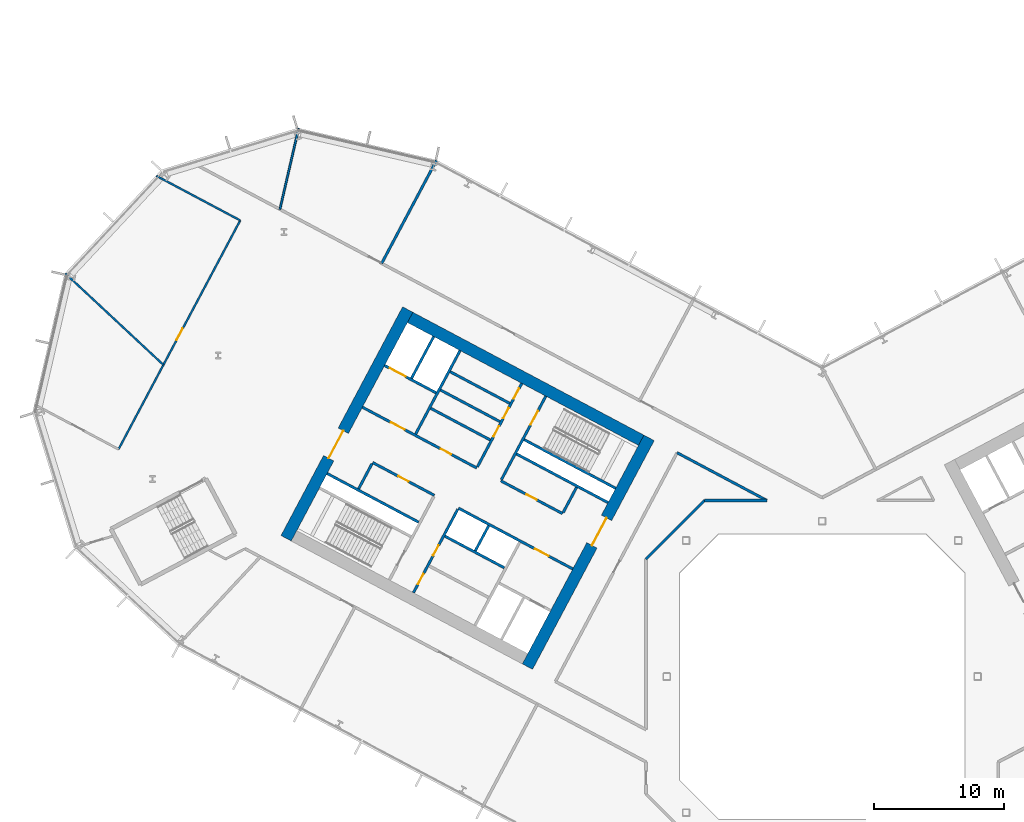
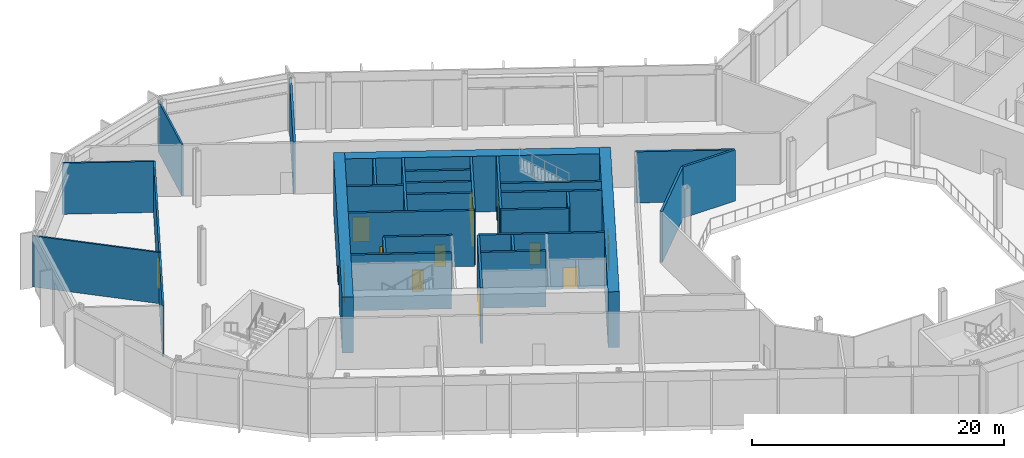
# One storey, part 13 of 32: 31 walls, 15 doors, 15 openings.
"""IFC4 building model written with IfcOpenShell, lengths in metres."""

from ifc_helpers import new_model, si_unit, direction, frame, frame_2d, origin, place, context, subcontext, project, spatial, rectangle, extrude, material, layer, layer_set, type_object, element, fill, save


model = new_model("IFC4")

# Units and contexts
model_context = context("Model", 3, precision=1e-05, world=origin(), true_north=direction((0.0, 1.0)))
body_context = subcontext(model_context, "Body", "Model", "MODEL_VIEW")
ifc_project = project(units=[si_unit("LENGTHUNIT", "METRE"), si_unit("AREAUNIT", "SQUARE_METRE"), si_unit("VOLUMEUNIT", "CUBIC_METRE"), si_unit("PLANEANGLEUNIT", "RADIAN"), si_unit("MASSUNIT", "GRAM", prefix="KILO")], contexts=[model_context])

# Site, building, storey
site_placement = place(None, origin())
site = spatial("IfcSite", under=ifc_project, at=site_placement, CompositionType="ELEMENT")
building_placement = place(site_placement, origin())
building = spatial("IfcBuilding", under=site, at=building_placement, Name="Cormorant Relay Tower", CompositionType="ELEMENT")
storey_placement = place(building_placement, frame((0.0, 0.0, 28.39990234375)))
storey = spatial("IfcBuildingStorey", under=building, at=storey_placement, Name="L05", CompositionType="ELEMENT", Elevation=28.39990234375)

# Walls
ifc_material_1 = material(Name="Concrete 40 MPa", Category="concrete")
ifc_layer_1 = layer(ifc_material_1, 0.199951171875)
ifc_layer_set_1 = layer_set([ifc_layer_1], Name="Core internal wall 200")
wall_type_1 = type_object("IfcWallType", Name="Core internal wall 200", PredefinedType="SOLIDWALL", material=ifc_layer_set_1)
wall_1_placement = place(storey_placement, frame((-25.744140625, 11.64990234375, 0.0), z_axis=(0.0, 0.0, 1.0), x_axis=(-0.469487830541, -0.882938942948, 0.0)))
element("IfcWall", 1, at=wall_1_placement, inside=storey, type_object=wall_type_1, Name="L05 core A shaft and room wall", PredefinedType="SOLIDWALL", context=body_context, shape_type="SweptSolid", body=[
    extrude(rectangle(XDim=2.2001953125, YDim=0.199951171875, at=frame_2d((1.10009765625, 0.0))), origin(), (0.0, 0.0, 1.0), 5.400146484375),
])
for number, where, z_axis, x_axis, name in (
    (2, (-24.120849609375, 21.093017578125, 0.0), (0.0, 0.0, 1.0), (-0.882953967957, 0.469459572775, 0.0), "L05 core A shaft and room wall"),
    (3, (-24.8720703125, 19.680419921875, 0.0), (0.0, 0.0, 1.0), (-0.882953967957, 0.469459572775, 0.0), "L05 core A shaft and room wall"),
):
    element("IfcWall", number, at=place(storey_placement, frame(where, z_axis=z_axis, x_axis=x_axis)), inside=storey, type_object=wall_type_1, Name=name, PredefinedType="SOLIDWALL", context=body_context, shape_type="SweptSolid", body=[
        extrude(rectangle(XDim=5.199951171875, YDim=0.199951171875, at=frame_2d((2.60009765625, 0.0))), origin(), (0.0, 0.0, 1.0), 5.400146484375),
    ])
ifc_material_2 = material(Name="Concrete 50 MPa", Category="concrete")
ifc_layer_2 = layer(ifc_material_2, 0.199951171875)
ifc_layer_set_2 = layer_set([ifc_layer_2], Name="Core shaft wall 200")
wall_type_2 = type_object("IfcWallType", Name="Core shaft wall 200", PredefinedType="SHEAR", material=ifc_layer_set_2)
wall_2_placement = place(storey_placement, frame((-18.959716796875, 14.611328125, 0.0), z_axis=(0.0, 0.0, 1.0), x_axis=(-0.4694473164, -0.882960484464, 0.0)))
element("IfcWall", 4, at=wall_2_placement, inside=storey, type_object=wall_type_2, Name="L05 core A shaft wall", PredefinedType="SHEAR", context=body_context, shape_type="SweptSolid", body=[
    extrude(rectangle(XDim=2.199951171875, YDim=0.199951171875, at=frame_2d((1.10009765625, 0.0))), origin(), (0.0, 0.0, 1.0), 5.400146484375),
])

# Wall, opening, door
wall_3_placement = place(storey_placement, frame((-21.333251953125, 21.6494140625, 0.0), z_axis=(0.0, 0.0, 1.0), x_axis=(-0.469494272526, -0.882935517501, 0.0)))
wall_3 = element("IfcWall", 5, at=wall_3_placement, inside=storey, type_object=wall_type_2, Name="L05 core A shaft wall", PredefinedType="SHEAR", context=body_context, shape_type="SweptSolid", body=[
    extrude(rectangle(XDim=7.2998046875, YDim=0.199951171875, at=frame_2d((3.64990234375, 0.0))), origin(), (0.0, 0.0, 1.0), 5.400146484375),
])
opening_1_placement = place(wall_3_placement, frame((1.300048828125, 0.0, 0.0)))
opening_1 = element("IfcOpeningElement", 6, at=opening_1_placement, cuts=wall_3, Name="Opening CDB-019", PredefinedType="OPENING", context=body_context, shape_type="SweptSolid", body=[
    extrude(rectangle(XDim=1.199951171875, YDim=2.10009765625, at=frame_2d((0.60009765625, 1.050048828125))), frame((0.0, 0.10986328125, 0.0), z_axis=(0.0, -1.0, 0.0), x_axis=(1.0, 0.0, 0.0)), (0.0, 0.0, 1.0), 0.219970703125),
])
ifc_material_3 = material(Name="Steel fire door", Category="steel")
door_type_1 = type_object("IfcDoorType", Name="Core stair door 1200x2100", OperationType="SINGLE_SWING_LEFT", PredefinedType="DOOR", material=ifc_material_3)
door_1_placement = place(opening_1_placement, origin())
door_1 = element("IfcDoor", 7, at=door_1_placement, inside=storey, type_object=door_type_1, Name="Core stair door 1200x2100", OperationType="SINGLE_SWING_RIGHT", OverallHeight=2.10009765625, OverallWidth=1.199951171875, PredefinedType="DOOR", context=body_context, shape_type="SweptSolid", body=[
    extrude(rectangle(XDim=1.199951171875, YDim=2.10009765625, at=frame_2d((0.60009765625, 1.050048828125))), frame((0.0, 0.02490234375, 0.0), z_axis=(0.0, -1.0, 0.0), x_axis=(1.0, 0.0, 0.0)), (0.0, 0.0, 1.0), 0.050048828125),
])
fill(opening_1, door_1)

# Wall, openings, doors
wall_4_placement = place(storey_placement, frame((-28.128173828125, 12.91748046875, 0.0), z_axis=(0.0, 0.0, 1.0), x_axis=(-0.469454336211, -0.882956752176, 0.0)))
wall_4 = element("IfcWall", 8, at=wall_4_placement, inside=storey, type_object=wall_type_2, Name="L05 core A shaft wall", PredefinedType="SHEAR", context=body_context, shape_type="SweptSolid", body=[
    extrude(rectangle(XDim=7.300048828125, YDim=0.199951171875, at=frame_2d((3.64990234375, 0.0))), origin(), (0.0, 0.0, 1.0), 5.400146484375),
])
opening_2_placement = place(wall_4_placement, frame((3.14990234375, 0.0, 0.0)))
opening_2 = element("IfcOpeningElement", 9, at=opening_2_placement, cuts=wall_4, Name="Opening CDD-084", PredefinedType="OPENING", context=body_context, shape_type="SweptSolid", body=[
    extrude(rectangle(XDim=0.89990234375, YDim=2.10009765625, at=frame_2d((0.449951171875, 1.050048828125))), frame((0.0, 0.10986328125, 0.0), z_axis=(0.0, -1.0, 0.0), x_axis=(1.0, 0.0, 0.0)), (0.0, 0.0, 1.0), 0.219970703125),
])
opening_3_placement = place(wall_4_placement, frame((5.64990234375, 0.0, 0.0)))
opening_3 = element("IfcOpeningElement", 10, at=opening_3_placement, cuts=wall_4, Name="Opening CDD-085", PredefinedType="OPENING", context=body_context, shape_type="SweptSolid", body=[
    extrude(rectangle(XDim=0.89990234375, YDim=2.10009765625, at=frame_2d((0.449951171875, 1.050048828125))), frame((0.0, 0.10986328125, 0.0), z_axis=(0.0, -1.0, 0.0), x_axis=(1.0, 0.0, 0.0)), (0.0, 0.0, 1.0), 0.219970703125),
])
ifc_material_4 = material(Name="Steel fire door", Category="steel")
door_type_2 = type_object("IfcDoorType", Name="Core room door 900x2100", OperationType="SINGLE_SWING_LEFT", PredefinedType="DOOR", material=ifc_material_4)
door_2_placement = place(opening_2_placement, origin())
door_2 = element("IfcDoor", 11, at=door_2_placement, inside=storey, type_object=door_type_2, Name="Core room door 900x2100", OperationType="SINGLE_SWING_LEFT", OverallHeight=2.10009765625, OverallWidth=0.89990234375, PredefinedType="DOOR", context=body_context, shape_type="SweptSolid", body=[
    extrude(rectangle(XDim=0.89990234375, YDim=2.10009765625, at=frame_2d((0.449951171875, 1.050048828125))), frame((0.0, 0.02490234375, 0.0), z_axis=(0.0, -1.0, 0.0), x_axis=(1.0, 0.0, 0.0)), (0.0, 0.0, 1.0), 0.050048828125),
])
fill(opening_2, door_2)
door_3_placement = place(opening_3_placement, origin())
door_3 = element("IfcDoor", 12, at=door_3_placement, inside=storey, type_object=door_type_2, Name="Core room door 900x2100", OperationType="SINGLE_SWING_LEFT", OverallHeight=2.10009765625, OverallWidth=0.89990234375, PredefinedType="DOOR", context=body_context, shape_type="SweptSolid", body=[
    extrude(rectangle(XDim=0.89990234375, YDim=2.10009765625, at=frame_2d((0.449951171875, 1.050048828125))), frame((0.0, 0.02490234375, 0.0), z_axis=(0.0, -1.0, 0.0), x_axis=(1.0, 0.0, 0.0)), (0.0, 0.0, 1.0), 0.050048828125),
])
fill(opening_3, door_3)

wall_5_placement = place(storey_placement, frame((-23.1875, 22.635498046875, 0.0), z_axis=(0.0, 0.0, 1.0), x_axis=(-0.469454336211, -0.882956752176, 0.0)))
wall_5 = element("IfcWall", 13, at=wall_5_placement, inside=storey, type_object=wall_type_2, Name="L05 core A shaft wall", PredefinedType="SHEAR", context=body_context, shape_type="SweptSolid", body=[
    extrude(rectangle(XDim=7.300048828125, YDim=0.199951171875, at=frame_2d((3.64990234375, 0.0))), origin(), (0.0, 0.0, 1.0), 5.400146484375),
])
opening_4_placement = place(wall_5_placement, frame((0.449951171875, 0.0, 0.0)))
opening_4 = element("IfcOpeningElement", 14, at=opening_4_placement, cuts=wall_5, Name="Opening CDD-086", PredefinedType="OPENING", context=body_context, shape_type="SweptSolid", body=[
    extrude(rectangle(XDim=0.89990234375, YDim=2.10009765625, at=frame_2d((0.449951171875, 1.050048828125))), frame((0.0, 0.10986328125, 0.0), z_axis=(0.0, -1.0, 0.0), x_axis=(1.0, 0.0, 0.0)), (0.0, 0.0, 1.0), 0.219970703125),
])
opening_5_placement = place(wall_5_placement, frame((2.14990234375, 0.0, 0.0)))
opening_5 = element("IfcOpeningElement", 15, at=opening_5_placement, cuts=wall_5, Name="Opening CDD-087", PredefinedType="OPENING", context=body_context, shape_type="SweptSolid", body=[
    extrude(rectangle(XDim=0.89990234375, YDim=2.10009765625, at=frame_2d((0.449951171875, 1.050048828125))), frame((0.0, 0.10986328125, 0.0), z_axis=(0.0, -1.0, 0.0), x_axis=(1.0, 0.0, 0.0)), (0.0, 0.0, 1.0), 0.219970703125),
])
opening_6_placement = place(wall_5_placement, frame((3.75, 0.0, 0.0)))
opening_6 = element("IfcOpeningElement", 16, at=opening_6_placement, cuts=wall_5, Name="Opening CDD-088", PredefinedType="OPENING", context=body_context, shape_type="SweptSolid", body=[
    extrude(rectangle(XDim=0.89990234375, YDim=2.10009765625, at=frame_2d((0.449951171875, 1.050048828125))), frame((0.0, 0.10986328125, 0.0), z_axis=(0.0, -1.0, 0.0), x_axis=(1.0, 0.0, 0.0)), (0.0, 0.0, 1.0), 0.219970703125),
])
door_4_placement = place(opening_4_placement, origin())
door_4 = element("IfcDoor", 17, at=door_4_placement, inside=storey, type_object=door_type_2, Name="Core room door 900x2100", OperationType="SINGLE_SWING_LEFT", OverallHeight=2.10009765625, OverallWidth=0.89990234375, PredefinedType="DOOR", context=body_context, shape_type="SweptSolid", body=[
    extrude(rectangle(XDim=0.89990234375, YDim=2.10009765625, at=frame_2d((0.449951171875, 1.050048828125))), frame((0.0, 0.02490234375, 0.0), z_axis=(0.0, -1.0, 0.0), x_axis=(1.0, 0.0, 0.0)), (0.0, 0.0, 1.0), 0.050048828125),
])
fill(opening_4, door_4)
door_5_placement = place(opening_5_placement, origin())
door_5 = element("IfcDoor", 18, at=door_5_placement, inside=storey, type_object=door_type_2, Name="Core room door 900x2100", OperationType="SINGLE_SWING_LEFT", OverallHeight=2.10009765625, OverallWidth=0.89990234375, PredefinedType="DOOR", context=body_context, shape_type="SweptSolid", body=[
    extrude(rectangle(XDim=0.89990234375, YDim=2.10009765625, at=frame_2d((0.449951171875, 1.050048828125))), frame((0.0, 0.02490234375, 0.0), z_axis=(0.0, -1.0, 0.0), x_axis=(1.0, 0.0, 0.0)), (0.0, 0.0, 1.0), 0.050048828125),
])
fill(opening_5, door_5)
door_6_placement = place(opening_6_placement, origin())
door_6 = element("IfcDoor", 19, at=door_6_placement, inside=storey, type_object=door_type_2, Name="Core room door 900x2100", OperationType="SINGLE_SWING_LEFT", OverallHeight=2.10009765625, OverallWidth=0.89990234375, PredefinedType="DOOR", context=body_context, shape_type="SweptSolid", body=[
    extrude(rectangle(XDim=0.89990234375, YDim=2.10009765625, at=frame_2d((0.449951171875, 1.050048828125))), frame((0.0, 0.02490234375, 0.0), z_axis=(0.0, -1.0, 0.0), x_axis=(1.0, 0.0, 0.0)), (0.0, 0.0, 1.0), 0.050048828125),
])
fill(opening_6, door_6)

# Walls
wall_6_placement = place(storey_placement, frame((-27.955322265625, 25.170654296875, 0.0), z_axis=(0.0, 0.0, 1.0), x_axis=(-0.469480409012, -0.88294288918, 0.0)))
element("IfcWall", 20, at=wall_6_placement, inside=storey, type_object=wall_type_2, Name="L05 core A shaft wall", PredefinedType="SHEAR", context=body_context, shape_type="SweptSolid", body=[
    extrude(rectangle(XDim=7.300048828125, YDim=0.199951171875, at=frame_2d((3.64990234375, 0.0))), origin(), (0.0, 0.0, 1.0), 5.400146484375),
])
wall_7_placement = place(storey_placement, frame((-34.750244140625, 16.4384765625, 0.0), z_axis=(0.0, 0.0, 1.0), x_axis=(-0.469401318492, -0.882984938828, 0.0)))
element("IfcWall", 21, at=wall_7_placement, inside=storey, type_object=wall_type_2, Name="L05 core A shaft wall", PredefinedType="SHEAR", context=body_context, shape_type="SweptSolid", body=[
    extrude(rectangle(XDim=2.199951171875, YDim=0.199951171875, at=frame_2d((1.10009765625, 0.0))), origin(), (0.0, 0.0, 1.0), 5.400146484375),
])
wall_8_placement = place(storey_placement, frame((-29.986083984375, 26.250244140625, 0.0), z_axis=(0.0, 0.0, 1.0), x_axis=(-0.469494272526, -0.882935517501, 0.0)))
element("IfcWall", 22, at=wall_8_placement, inside=storey, type_object=wall_type_2, Name="L05 core A shaft wall", PredefinedType="SHEAR", context=body_context, shape_type="SweptSolid", body=[
    extrude(rectangle(XDim=3.64990234375, YDim=0.199951171875, at=frame_2d((1.824951171875, 0.0))), origin(), (0.0, 0.0, 1.0), 5.400146484375),
])
wall_9_placement = place(storey_placement, frame((-15.94189453125, 14.53564453125, 0.0), z_axis=(0.0, 0.0, 1.0), x_axis=(-0.882946947542, 0.469472776449, 0.0)))
element("IfcWall", 23, at=wall_9_placement, inside=storey, type_object=wall_type_2, Name="L05 core A shaft wall", PredefinedType="SHEAR", context=body_context, shape_type="SweptSolid", body=[
    extrude(rectangle(XDim=8.000244140625, YDim=0.199951171875, at=frame_2d((4.0, 0.0))), origin(), (0.0, 0.0, 1.0), 5.400146484375),
])

# Wall, opening, door
wall_10_placement = place(storey_placement, frame((-29.80419921875, 21.906494140625, 0.0), z_axis=(0.0, 0.0, 1.0), x_axis=(-0.882960433586, 0.469447412093, 0.0)))
wall_10 = element("IfcWall", 24, at=wall_10_placement, inside=storey, type_object=wall_type_2, Name="L05 core A shaft wall", PredefinedType="SHEAR", context=body_context, shape_type="SweptSolid", body=[
    extrude(rectangle(XDim=4.5, YDim=0.199951171875, at=frame_2d((2.25, 0.0))), origin(), (0.0, 0.0, 1.0), 5.400146484375),
])
opening_7_placement = place(wall_10_placement, frame((2.64990234375, 0.0, 0.0)))
opening_7 = element("IfcOpeningElement", 25, at=opening_7_placement, cuts=wall_10, Name="Opening LD3-007", PredefinedType="OPENING", context=body_context, shape_type="SweptSolid", body=[
    extrude(rectangle(XDim=1.39990234375, YDim=2.39990234375, at=frame_2d((0.699951171875, 1.199951171875))), frame((0.0, 0.10986328125, 0.0), z_axis=(0.0, -1.0, 0.0), x_axis=(1.0, 0.0, 0.0)), (0.0, 0.0, 1.0), 0.219970703125),
])
ifc_material_5 = material(Name="Stainless steel 316", Category="steel")
door_type_3 = type_object("IfcDoorType", Name="Lift landing door 1400x2400", OperationType="DOUBLE_DOOR_SLIDING", PredefinedType="DOOR", material=ifc_material_5)
door_7_placement = place(opening_7_placement, origin())
door_7 = element("IfcDoor", 26, at=door_7_placement, inside=storey, type_object=door_type_3, Name="SV1 landing door", OperationType="DOUBLE_DOOR_SLIDING", OverallHeight=2.39990234375, OverallWidth=1.39990234375, PredefinedType="DOOR", context=body_context, shape_type="SweptSolid", body=[
    extrude(rectangle(XDim=1.39990234375, YDim=2.39990234375, at=frame_2d((0.699951171875, 1.199951171875))), frame((0.0, 0.02490234375, 0.0), z_axis=(0.0, -1.0, 0.0), x_axis=(1.0, 0.0, 0.0)), (0.0, 0.0, 1.0), 0.050048828125),
])
fill(opening_7, door_7)

# Walls
wall_11_placement = place(storey_placement, frame((-16.52880859375, 13.43212890625, 0.0), z_axis=(0.0, 0.0, 1.0), x_axis=(-0.88295287151, 0.469461634952, 0.0)))
element("IfcWall", 27, at=wall_11_placement, inside=storey, type_object=wall_type_2, Name="L05 core A shaft wall", PredefinedType="SHEAR", context=body_context, shape_type="SweptSolid", body=[
    extrude(rectangle(XDim=7.999755859375, YDim=0.199951171875, at=frame_2d((4.0, 0.0))), origin(), (0.0, 0.0, 1.0), 5.400146484375),
])
wall_12_placement = place(storey_placement, frame((-25.623046875, 18.267578125, 0.0), z_axis=(0.0, 0.0, 1.0), x_axis=(-0.882953967957, 0.469459572775, 0.0)))
element("IfcWall", 28, at=wall_12_placement, inside=storey, type_object=wall_type_2, Name="L05 core A shaft wall", PredefinedType="SHEAR", context=body_context, shape_type="SweptSolid", body=[
    extrude(rectangle(XDim=5.199951171875, YDim=0.199951171875, at=frame_2d((2.60009765625, 0.0))), origin(), (0.0, 0.0, 1.0), 5.400146484375),
])

# Wall, opening, door
wall_13_placement = place(storey_placement, frame((-20.03955078125, 12.58056640625, 0.0), z_axis=(0.0, 0.0, 1.0), x_axis=(-0.882942972946, 0.469480251476, 0.0)))
wall_13 = element("IfcWall", 29, at=wall_13_placement, inside=storey, type_object=wall_type_2, Name="L05 core A shaft wall", PredefinedType="SHEAR", context=body_context, shape_type="SweptSolid", body=[
    extrude(rectangle(XDim=5.39990234375, YDim=0.199951171875, at=frame_2d((2.699951171875, 0.0))), origin(), (0.0, 0.0, 1.0), 5.400146484375),
])
opening_8_placement = place(wall_13_placement, frame((2.25, 0.0, 0.0)))
opening_8 = element("IfcOpeningElement", 30, at=opening_8_placement, cuts=wall_13, Name="Opening CDD-082", PredefinedType="OPENING", context=body_context, shape_type="SweptSolid", body=[
    extrude(rectangle(XDim=0.89990234375, YDim=2.10009765625, at=frame_2d((0.449951171875, 1.050048828125))), frame((0.0, 0.10986328125, 0.0), z_axis=(0.0, -1.0, 0.0), x_axis=(1.0, 0.0, 0.0)), (0.0, 0.0, 1.0), 0.219970703125),
])
door_8_placement = place(opening_8_placement, frame((0.89990234375, 0.0, 0.0), z_axis=(0.0, 0.0, 1.0), x_axis=(-1.0, 0.0, 0.0)))
door_8 = element("IfcDoor", 31, at=door_8_placement, inside=storey, type_object=door_type_2, Name="Core room door 900x2100", OperationType="SINGLE_SWING_RIGHT", OverallHeight=2.10009765625, OverallWidth=0.89990234375, PredefinedType="DOOR", context=body_context, shape_type="SweptSolid", body=[
    extrude(rectangle(XDim=0.89990234375, YDim=2.10009765625, at=frame_2d((0.449951171875, 1.050048828125))), frame((0.0, 0.02490234375, 0.0), z_axis=(0.0, -1.0, 0.0), x_axis=(1.0, 0.0, 0.0)), (0.0, 0.0, 1.0), 0.050048828125),
])
fill(opening_8, door_8)

# Wall, openings, doors
wall_14_placement = place(storey_placement, frame((-26.66162109375, 16.1015625, 0.0), z_axis=(0.0, 0.0, 1.0), x_axis=(-0.882940221191, 0.469485426614, 0.0)))
wall_14 = element("IfcWall", 32, at=wall_14_placement, inside=storey, type_object=wall_type_2, Name="L05 core A shaft wall", PredefinedType="SHEAR", context=body_context, shape_type="SweptSolid", body=[
    extrude(rectangle(XDim=10.0, YDim=0.199951171875, at=frame_2d((5.0, 0.0))), origin(), (0.0, 0.0, 1.0), 5.400146484375),
])
opening_9_placement = place(wall_14_placement, frame((6.300048828125, 0.0, 0.0)))
opening_9 = element("IfcOpeningElement", 33, at=opening_9_placement, cuts=wall_14, Name="Opening CDC-014", PredefinedType="OPENING", context=body_context, shape_type="SweptSolid", body=[
    extrude(rectangle(XDim=1.199951171875, YDim=2.10009765625, at=frame_2d((0.60009765625, 1.050048828125))), frame((0.0, 0.10986328125, 0.0), z_axis=(0.0, -1.0, 0.0), x_axis=(1.0, 0.0, 0.0)), (0.0, 0.0, 1.0), 0.219970703125),
])
opening_10_placement = place(wall_14_placement, frame((2.25, 0.0, 0.0)))
opening_10 = element("IfcOpeningElement", 34, at=opening_10_placement, cuts=wall_14, Name="Opening CDD-083", PredefinedType="OPENING", context=body_context, shape_type="SweptSolid", body=[
    extrude(rectangle(XDim=0.89990234375, YDim=2.10009765625, at=frame_2d((0.449951171875, 1.050048828125))), frame((0.0, 0.10986328125, 0.0), z_axis=(0.0, -1.0, 0.0), x_axis=(1.0, 0.0, 0.0)), (0.0, 0.0, 1.0), 0.219970703125),
])
ifc_material_6 = material(Name="Steel fire door", Category="steel")
door_type_4 = type_object("IfcDoorType", Name="Core lobby door 1200x2100", OperationType="SINGLE_SWING_LEFT", PredefinedType="DOOR", material=ifc_material_6)
door_9_placement = place(opening_9_placement, origin())
door_9 = element("IfcDoor", 35, at=door_9_placement, inside=storey, type_object=door_type_4, Name="Core lobby door 1200x2100", OperationType="SINGLE_SWING_LEFT", OverallHeight=2.10009765625, OverallWidth=1.199951171875, PredefinedType="DOOR", context=body_context, shape_type="SweptSolid", body=[
    extrude(rectangle(XDim=1.199951171875, YDim=2.10009765625, at=frame_2d((0.60009765625, 1.050048828125))), frame((0.0, 0.02490234375, 0.0), z_axis=(0.0, -1.0, 0.0), x_axis=(1.0, 0.0, 0.0)), (0.0, 0.0, 1.0), 0.050048828125),
])
fill(opening_9, door_9)
door_10_placement = place(opening_10_placement, origin())
door_10 = element("IfcDoor", 36, at=door_10_placement, inside=storey, type_object=door_type_2, Name="Core room door 900x2100", OperationType="SINGLE_SWING_LEFT", OverallHeight=2.10009765625, OverallWidth=0.89990234375, PredefinedType="DOOR", context=body_context, shape_type="SweptSolid", body=[
    extrude(rectangle(XDim=0.89990234375, YDim=2.10009765625, at=frame_2d((0.449951171875, 1.050048828125))), frame((0.0, 0.02490234375, 0.0), z_axis=(0.0, -1.0, 0.0), x_axis=(1.0, 0.0, 0.0)), (0.0, 0.0, 1.0), 0.050048828125),
])
fill(opening_10, door_10)

# Wall, opening, door
wall_15_placement = place(storey_placement, frame((-19.251708984375, 8.31103515625, 0.0), z_axis=(0.0, 0.0, 1.0), x_axis=(-0.882955722218, 0.469456273365, 0.0)))
wall_15 = element("IfcWall", 37, at=wall_15_placement, inside=storey, type_object=wall_type_2, Name="L05 core A shaft wall", PredefinedType="SHEAR", context=body_context, shape_type="SweptSolid", body=[
    extrude(rectangle(XDim=10.0, YDim=0.199951171875, at=frame_2d((5.0, 0.0))), origin(), (0.0, 0.0, 1.0), 5.400146484375),
])
opening_11_placement = place(wall_15_placement, frame((2.10009765625, 0.0, 0.0)))
opening_11 = element("IfcOpeningElement", 38, at=opening_11_placement, cuts=wall_15, Name="Opening CDC-013", PredefinedType="OPENING", context=body_context, shape_type="SweptSolid", body=[
    extrude(rectangle(XDim=1.199951171875, YDim=2.10009765625, at=frame_2d((0.60009765625, 1.050048828125))), frame((0.0, 0.10986328125, 0.0), z_axis=(0.0, -1.0, 0.0), x_axis=(1.0, 0.0, 0.0)), (0.0, 0.0, 1.0), 0.219970703125),
])
door_11_placement = place(opening_11_placement, origin())
door_11 = element("IfcDoor", 39, at=door_11_placement, inside=storey, type_object=door_type_4, Name="Core lobby door 1200x2100", OperationType="SINGLE_SWING_RIGHT", OverallHeight=2.10009765625, OverallWidth=1.199951171875, PredefinedType="DOOR", context=body_context, shape_type="SweptSolid", body=[
    extrude(rectangle(XDim=1.199951171875, YDim=2.10009765625, at=frame_2d((0.60009765625, 1.050048828125))), frame((0.0, 0.02490234375, 0.0), z_axis=(0.0, -1.0, 0.0), x_axis=(1.0, 0.0, 0.0)), (0.0, 0.0, 1.0), 0.050048828125),
])
fill(opening_11, door_11)

wall_16_placement = place(storey_placement, frame((-29.935302734375, 13.991455078125, 0.0), z_axis=(0.0, 0.0, 1.0), x_axis=(-0.882952937579, 0.469461510692, 0.0)))
wall_16 = element("IfcWall", 40, at=wall_16_placement, inside=storey, type_object=wall_type_2, Name="L05 core A shaft wall", PredefinedType="SHEAR", context=body_context, shape_type="SweptSolid", body=[
    extrude(rectangle(XDim=5.400146484375, YDim=0.199951171875, at=frame_2d((2.7001953125, 0.0))), origin(), (0.0, 0.0, 1.0), 5.400146484375),
])
opening_12_placement = place(wall_16_placement, frame((2.25, 0.0, 0.0)))
opening_12 = element("IfcOpeningElement", 41, at=opening_12_placement, cuts=wall_16, Name="Opening CDD-081", PredefinedType="OPENING", context=body_context, shape_type="SweptSolid", body=[
    extrude(rectangle(XDim=0.89990234375, YDim=2.10009765625, at=frame_2d((0.449951171875, 1.050048828125))), frame((0.0, 0.10986328125, 0.0), z_axis=(0.0, -1.0, 0.0), x_axis=(1.0, 0.0, 0.0)), (0.0, 0.0, 1.0), 0.219970703125),
])
door_12_placement = place(opening_12_placement, origin())
door_12 = element("IfcDoor", 42, at=door_12_placement, inside=storey, type_object=door_type_2, Name="Core room door 900x2100", OperationType="SINGLE_SWING_LEFT", OverallHeight=2.10009765625, OverallWidth=0.89990234375, PredefinedType="DOOR", context=body_context, shape_type="SweptSolid", body=[
    extrude(rectangle(XDim=0.89990234375, YDim=2.10009765625, at=frame_2d((0.449951171875, 1.050048828125))), frame((0.0, 0.02490234375, 0.0), z_axis=(0.0, -1.0, 0.0), x_axis=(1.0, 0.0, 0.0)), (0.0, 0.0, 1.0), 0.050048828125),
])
fill(opening_12, door_12)

# Walls
wall_17_placement = place(storey_placement, frame((-24.5283203125, 8.3984375, 0.0), z_axis=(0.0, 0.0, 1.0), x_axis=(-0.882953967957, 0.469459572775, 0.0)))
element("IfcWall", 43, at=wall_17_placement, inside=storey, type_object=wall_type_2, Name="L05 core A shaft wall", PredefinedType="SHEAR", context=body_context, shape_type="SweptSolid", body=[
    extrude(rectangle(XDim=5.199951171875, YDim=0.199951171875, at=frame_2d((2.60009765625, 0.0))), origin(), (0.0, 0.0, 1.0), 5.400146484375),
])
wall_18_placement = place(storey_placement, frame((-31.150390625, 11.91943359375, 0.0), z_axis=(0.0, 0.0, 1.0), x_axis=(-0.882940221191, 0.469485426614, 0.0)))
element("IfcWall", 44, at=wall_18_placement, inside=storey, type_object=wall_type_2, Name="L05 core A shaft wall", PredefinedType="SHEAR", context=body_context, shape_type="SweptSolid", body=[
    extrude(rectangle(XDim=8.0, YDim=0.199951171875, at=frame_2d((4.0, 0.0))), origin(), (0.0, 0.0, 1.0), 5.400146484375),
])

# Wall, opening, door
ifc_material_7 = material(Name="Concrete 70 MPa", Category="concrete")
ifc_layer_3 = layer(ifc_material_7, 0.89990234375)
ifc_layer_set_3 = layer_set([ifc_layer_3], Name="Core wall 900")
wall_type_3 = type_object("IfcWallType", Name="Core wall 900", PredefinedType="SHEAR", material=ifc_layer_set_3)
wall_19_placement = place(storey_placement, frame((-13.361572265625, 18.43017578125, 0.0), z_axis=(0.0, 0.0, 1.0), x_axis=(-0.46947084998, -0.882947971864, 0.0)))
wall_19 = element("IfcWall", 45, at=wall_19_placement, inside=storey, type_object=wall_type_3, Name="L05 core A wall", PredefinedType="SHEAR", context=body_context, shape_type="SweptSolid", body=[
    extrude(rectangle(XDim=20.0, YDim=0.89990234375, at=frame_2d((10.0, 0.0))), origin(), (0.0, 0.0, 1.0), 5.400146484375),
])
opening_13_placement = place(wall_19_placement, frame((7.0, 0.0, 0.0)))
opening_13 = element("IfcOpeningElement", 46, at=opening_13_placement, cuts=wall_19, Name="Opening CDA-013", PredefinedType="OPENING", context=body_context, shape_type="SweptSolid", body=[
    extrude(rectangle(XDim=2.39990234375, YDim=2.39990234375, at=frame_2d((1.199951171875, 1.199951171875))), frame((0.0, 0.4599609375, 0.0), z_axis=(0.0, -1.0, 0.0), x_axis=(1.0, 0.0, 0.0)), (0.0, 0.0, 1.0), 0.919921875),
])
ifc_material_8 = material(Name="Steel fire door", Category="steel")
door_type_5 = type_object("IfcDoorType", Name="Core lobby door 2400x2400", OperationType="DOUBLE_DOOR_SINGLE_SWING", PredefinedType="DOOR", material=ifc_material_8)
door_13_placement = place(opening_13_placement, frame((2.39990234375, 0.0, 0.0), z_axis=(0.0, 0.0, 1.0), x_axis=(-1.0, 0.0, 0.0)))
door_13 = element("IfcDoor", 47, at=door_13_placement, inside=storey, type_object=door_type_5, Name="Core lobby door 2400x2400", OperationType="DOUBLE_DOOR_SINGLE_SWING", OverallHeight=2.39990234375, OverallWidth=2.39990234375, PredefinedType="DOOR", context=body_context, shape_type="SweptSolid", body=[
    extrude(rectangle(XDim=2.39990234375, YDim=2.39990234375, at=frame_2d((1.199951171875, 1.199951171875))), frame((0.0, 0.02490234375, 0.0), z_axis=(0.0, -1.0, 0.0), x_axis=(1.0, 0.0, 0.0)), (0.0, 0.0, 1.0), 0.050048828125),
])
fill(opening_13, door_13)

wall_20_placement = place(storey_placement, frame((-31.99169921875, 28.3359375, 0.0), z_axis=(0.0, 0.0, 1.0), x_axis=(-0.46947084998, -0.882947971864, 0.0)))
wall_20 = element("IfcWall", 48, at=wall_20_placement, inside=storey, type_object=wall_type_3, Name="L05 core A wall", PredefinedType="SHEAR", context=body_context, shape_type="SweptSolid", body=[
    extrude(rectangle(XDim=20.0, YDim=0.89990234375, at=frame_2d((10.0, 0.0))), origin(), (0.0, 0.0, 1.0), 5.400146484375),
])
opening_14_placement = place(wall_20_placement, frame((10.60009765625, 0.0, 0.0)))
opening_14 = element("IfcOpeningElement", 49, at=opening_14_placement, cuts=wall_20, Name="Opening CDA-014", PredefinedType="OPENING", context=body_context, shape_type="SweptSolid", body=[
    extrude(rectangle(XDim=2.39990234375, YDim=2.39990234375, at=frame_2d((1.199951171875, 1.199951171875))), frame((0.0, 0.4599609375, 0.0), z_axis=(0.0, -1.0, 0.0), x_axis=(1.0, 0.0, 0.0)), (0.0, 0.0, 1.0), 0.919921875),
])
door_14_placement = place(opening_14_placement, origin())
door_14 = element("IfcDoor", 50, at=door_14_placement, inside=storey, type_object=door_type_5, Name="Core lobby door 2400x2400", OperationType="DOUBLE_DOOR_SINGLE_SWING", OverallHeight=2.39990234375, OverallWidth=2.39990234375, PredefinedType="DOOR", context=body_context, shape_type="SweptSolid", body=[
    extrude(rectangle(XDim=2.39990234375, YDim=2.39990234375, at=frame_2d((1.199951171875, 1.199951171875))), frame((0.0, 0.02490234375, 0.0), z_axis=(0.0, -1.0, 0.0), x_axis=(1.0, 0.0, 0.0)), (0.0, 0.0, 1.0), 0.050048828125),
])
fill(opening_14, door_14)

# Walls
wall_21_placement = place(storey_placement, frame((-13.97021484375, 18.244140625, 0.0), z_axis=(0.0, 0.0, 1.0), x_axis=(-0.88294509198, 0.469476266226, 0.0)))
element("IfcWall", 51, at=wall_21_placement, inside=storey, type_object=wall_type_3, Name="L05 core A wall", PredefinedType="SHEAR", context=body_context, shape_type="SweptSolid", body=[
    extrude(rectangle(XDim=20.199951171875, YDim=0.89990234375, at=frame_2d((10.10009765625, 0.0))), origin(), (0.0, 0.0, 1.0), 5.400146484375),
])
ifc_material_9 = material(Name="Fire-rated gypsum board partition")
ifc_layer_4 = layer(ifc_material_9, 0.199951171875)
ifc_layer_set_4 = layer_set([ifc_layer_4], Name="Fire-rated gypsum partition 200")
wall_type_4 = type_object("IfcWallType", Name="Fire-rated gypsum partition 200", PredefinedType="PARTITIONING", material=ifc_layer_set_4)
wall_22_placement = place(storey_placement, frame((-29.779052734375, 39.845947265625, 0.0), z_axis=(0.0, 0.0, 1.0), x_axis=(-0.469470416571, -0.882948202311, 0.0)))
element("IfcWall", 52, at=wall_22_placement, inside=storey, type_object=wall_type_4, Name="wall/L05/part/13", PredefinedType="PARTITIONING", context=body_context, shape_type="SweptSolid", body=[
    extrude(rectangle(XDim=9.00390625, YDim=0.199951171875, at=frame_2d((4.501953125, 0.0))), origin(), (0.0, 0.0, 1.0), 4.9501953125),
])
wall_23_placement = place(storey_placement, frame((-11.198974609375, 17.282958984375, 0.0), z_axis=(0.0, 0.0, 1.0), x_axis=(0.88292918263, -0.469506185754, 0.0)))
element("IfcWall", 53, at=wall_23_placement, inside=storey, type_object=wall_type_4, Name="wall/L05/part/57", PredefinedType="PARTITIONING", context=body_context, shape_type="SweptSolid", body=[
    extrude(rectangle(XDim=7.848876953125, YDim=0.199951171875, at=frame_2d((3.92431640625, 0.0))), origin(), (0.0, 0.0, 1.0), 4.9501953125),
])
wall_24_placement = place(storey_placement, frame((-4.26904296875, 13.597900390625, 0.0), z_axis=(0.0, 0.0, 1.0), x_axis=(-1.0, 0.0, 0.0)))
element("IfcWall", 54, at=wall_24_placement, inside=storey, type_object=wall_type_4, Name="wall/L05/part/58", PredefinedType="PARTITIONING", context=body_context, shape_type="SweptSolid", body=[
    extrude(rectangle(XDim=4.806884765625, YDim=0.199951171875, at=frame_2d((2.4033203125, 0.0))), origin(), (0.0, 0.0, 1.0), 4.9501953125),
])
wall_25_placement = place(storey_placement, frame((-9.075927734375, 13.597900390625, 0.0), z_axis=(0.0, 0.0, 1.0), x_axis=(-0.707106781187, -0.707106781187, 0.0)))
element("IfcWall", 55, at=wall_25_placement, inside=storey, type_object=wall_type_4, Name="wall/L05/part/59", PredefinedType="PARTITIONING", context=body_context, shape_type="SweptSolid", body=[
    extrude(rectangle(XDim=6.39501953125, YDim=0.199951171875, at=frame_2d((3.197509765625, 0.0))), origin(), (0.0, 0.0, 1.0), 4.9501953125),
])

# Wall, opening, door
ifc_material_10 = material(Name="Gypsum board partition")
ifc_layer_5 = layer(ifc_material_10, 0.14990234375)
ifc_layer_set_5 = layer_set([ifc_layer_5], Name="Gypsum board partition 150")
wall_type_5 = type_object("IfcWallType", Name="Gypsum board partition 150", PredefinedType="PARTITIONING", material=ifc_layer_set_5)
wall_26_placement = place(storey_placement, frame((-54.31591796875, 17.552001953125, 0.0), z_axis=(0.0, 0.0, 1.0), x_axis=(0.469479992782, 0.882943110499, 0.0)))
wall_26 = element("IfcWall", 56, at=wall_26_placement, inside=storey, type_object=wall_type_5, Name="wall/L05/part/2", PredefinedType="PARTITIONING", context=body_context, shape_type="SweptSolid", body=[
    extrude(rectangle(XDim=20.0048828125, YDim=0.14990234375, at=frame_2d((10.00244140625, 0.0))), origin(), (0.0, 0.0, 1.0), 4.9501953125),
])
opening_15_placement = place(wall_26_placement, frame((9.550048828125, 0.0, 0.0)))
opening_15 = element("IfcOpeningElement", 57, at=opening_15_placement, cuts=wall_26, Name="Opening D1-015", PredefinedType="OPENING", context=body_context, shape_type="SweptSolid", body=[
    extrude(rectangle(XDim=1.0, YDim=2.10009765625, at=frame_2d((0.5, 1.050048828125))), frame((0.0, 0.0849609375, 0.0), z_axis=(0.0, -1.0, 0.0), x_axis=(1.0, 0.0, 0.0)), (0.0, 0.0, 1.0), 0.169921875),
])
ifc_material_11 = material(Name="Painted steel door", Category="steel")
door_type_6 = type_object("IfcDoorType", Name="Single door 1000 x 2100", OperationType="SINGLE_SWING_LEFT", PredefinedType="DOOR", material=ifc_material_11)
door_15_placement = place(opening_15_placement, origin())
door_15 = element("IfcDoor", 58, at=door_15_placement, inside=storey, type_object=door_type_6, Name="door/L05/1", OperationType="SINGLE_SWING_RIGHT", OverallHeight=2.10009765625, OverallWidth=1.0, PredefinedType="DOOR", context=body_context, shape_type="SweptSolid", body=[
    extrude(rectangle(XDim=1.0, YDim=2.10009765625, at=frame_2d((0.5, 1.050048828125))), frame((0.0, 0.02490234375, 0.0), z_axis=(0.0, -1.0, 0.0), x_axis=(1.0, 0.0, 0.0)), (0.0, 0.0, 1.0), 0.050048828125),
])
fill(opening_15, door_15)

# Walls
wall_27_placement = place(storey_placement, frame((-44.924072265625, 35.215087890625, 0.0), z_axis=(0.0, 0.0, 1.0), x_axis=(-0.883017799447, 0.469339499574, 0.0)))
element("IfcWall", 59, at=wall_27_placement, inside=storey, type_object=wall_type_5, Name="wall/L05/part/3", PredefinedType="PARTITIONING", context=body_context, shape_type="SweptSolid", body=[
    extrude(rectangle(XDim=7.329345703125, YDim=0.14990234375, at=frame_2d((3.66455078125, 0.0))), origin(), (0.0, 0.0, 1.0), 4.9501953125),
])
wall_28_placement = place(storey_placement, frame((-58.427001953125, 31.125, 0.0), z_axis=(0.0, 0.0, 1.0), x_axis=(0.731440901907, -0.681904837216, 0.0)))
element("IfcWall", 60, at=wall_28_placement, inside=storey, type_object=wall_type_5, Name="wall/L05/part/4", PredefinedType="PARTITIONING", context=body_context, shape_type="SweptSolid", body=[
    extrude(rectangle(XDim=10.35498046875, YDim=0.14990234375, at=frame_2d((5.177490234375, 0.0))), origin(), (0.0, 0.0, 1.0), 4.9501953125),
])
wall_29_placement = place(storey_placement, frame((-41.860107421875, 36.072998046875, 0.0), z_axis=(0.0, 0.0, 1.0), x_axis=(0.224965272242, 0.974366782215, 0.0)))
element("IfcWall", 61, at=wall_29_placement, inside=storey, type_object=wall_type_5, Name="wall/L05/part/14", PredefinedType="PARTITIONING", context=body_context, shape_type="SweptSolid", body=[
    extrude(rectangle(XDim=6.40625, YDim=0.14990234375, at=frame_2d((3.203125, 0.0))), origin(), (0.0, 0.0, 1.0), 4.9501953125),
])

save(model, "model.ifc")
